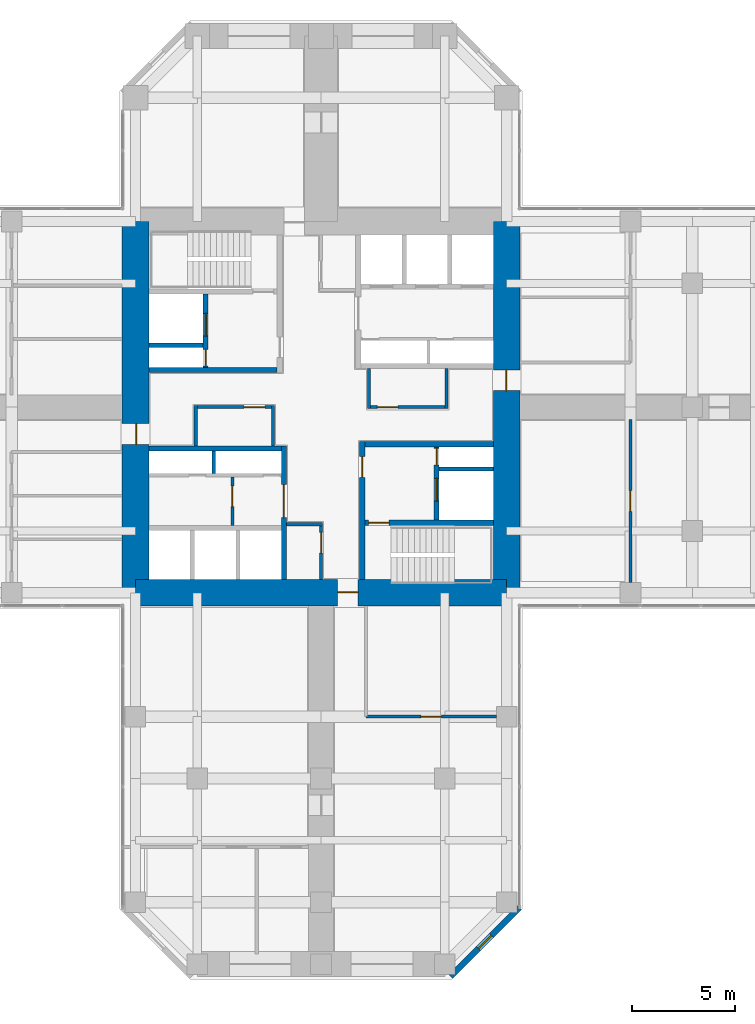
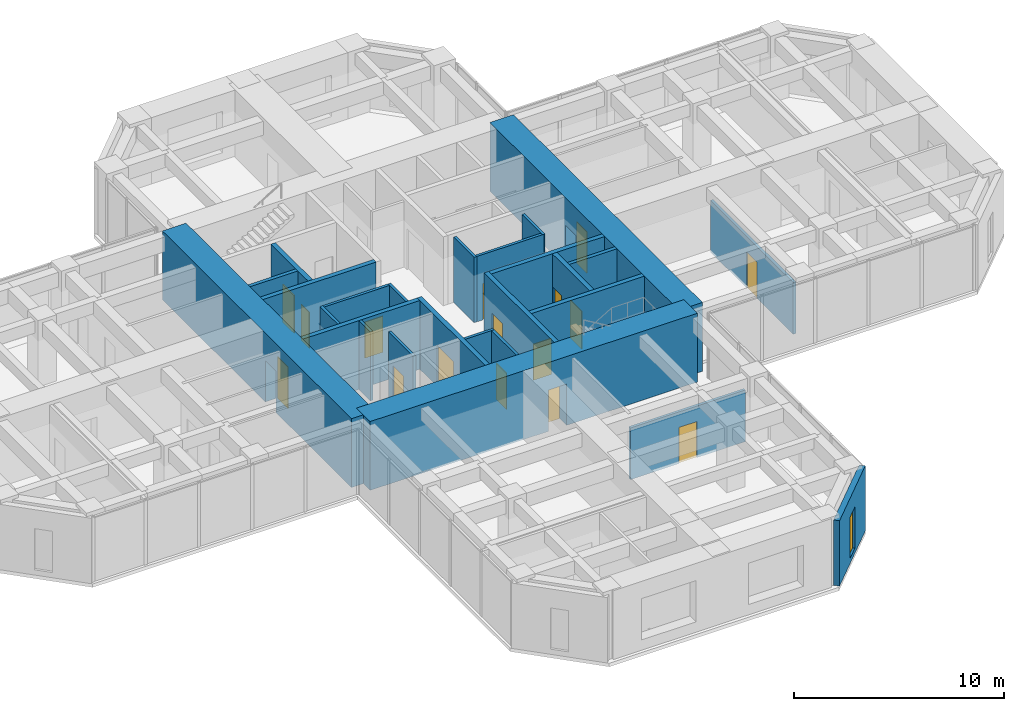
# One storey, part 9 of 12: 26 walls, 16 doors, 1 window, 17 openings.
"""IFC4 building model written with IfcOpenShell, lengths in metres."""

import ifcopenshell
import ifcopenshell.guid

model = None  # the IFC model being written
_history = None  # IfcOwnerHistory: only IFC2X3 demands one
_inside = {}  # id of a spatial element -> (the spatial element, [elements in it])
_under = {}  # id of a project, library or spatial element -> (it, [spatial elements below it])
_declared = {}  # id of a project -> (the project, [libraries it declares])
_typed = {}  # id of a type object -> (the type object, [elements of that type])
_made_of = {}  # id of a material, layer set ... -> (it, [elements and type objects made of it])


def new_model(schema):
    """Start an empty IFC model of exactly this schema.

    Asked for "IFC4X3", IfcOpenShell would pick the latest addendum, in which some entities
    have other attributes; the version numbers below select the first issue.
    IFC2X3 requires an IfcOwnerHistory on every rooted entity: one is made here for all.
    """
    global model, _history
    if schema == "IFC4X3":
        model = ifcopenshell.file(schema_version=(4, 3, 0, 0))
    else:
        model = ifcopenshell.file(schema=schema)
    _inside.clear()
    _under.clear()
    _declared.clear()
    _typed.clear()
    _made_of.clear()
    _history = None
    if model.schema == "IFC2X3":
        org = make("IfcOrganization", Name="unknown")
        user = make(
            "IfcPersonAndOrganization",
            ThePerson=make("IfcPerson", FamilyName="unknown"),
            TheOrganization=org,
        )
        app = make(
            "IfcApplication",
            ApplicationDeveloper=org,
            Version="unknown",
            ApplicationFullName="unknown",
            ApplicationIdentifier="unknown",
        )
        _history = make(
            "IfcOwnerHistory",
            OwningUser=user,
            OwningApplication=app,
            ChangeAction="ADDED",
            CreationDate=0,
        )
    return model


def make(cls, **values):
    """One entity of the class cls with the attributes given. An attribute that is None is left unset."""
    return model.create_entity(
        cls, **{name: value for name, value in values.items() if value is not None}
    )


def rooted(cls, **values):
    """An entity with a GlobalId (a new one), such as an element, a storey or a relation."""
    return make(cls, GlobalId=ifcopenshell.guid.new(), OwnerHistory=_history, **values)


def si_unit(unit_type, name, prefix=None):
    """IfcSIUnit, for example si_unit("LENGTHUNIT", "METRE", prefix="MILLI")."""
    return make("IfcSIUnit", UnitType=unit_type, Prefix=prefix, Name=name)


def assignment(units):
    """IfcUnitAssignment: the units of a project."""
    return None if units is None else make("IfcUnitAssignment", Units=units)


def point(xyz):
    """IfcCartesianPoint."""
    return None if xyz is None else make("IfcCartesianPoint", Coordinates=xyz)


def direction(xyz):
    """IfcDirection."""
    return None if xyz is None else make("IfcDirection", DirectionRatios=xyz)


def frame(location, z_axis=None, x_axis=None):
    """IfcAxis2Placement3D, a coordinate frame: its origin and axes. An axis left out is left unset."""
    return make(
        "IfcAxis2Placement3D",
        Location=point(location),
        Axis=direction(z_axis),
        RefDirection=direction(x_axis),
    )


def frame_2d(location, x_axis=None):
    """IfcAxis2Placement2D, a coordinate frame in the plane: its origin and x axis."""
    return make(
        "IfcAxis2Placement2D", Location=point(location), RefDirection=direction(x_axis)
    )


def origin():
    """The frame at (0, 0, 0) with its axes left unset."""
    return frame((0.0, 0.0, 0.0))


def place(relative_to, where):
    """IfcLocalPlacement: puts the frame where relative to a parent placement (None: the world)."""
    return make(
        "IfcLocalPlacement", PlacementRelTo=relative_to, RelativePlacement=where
    )


def context(
    kind, dimensions, precision=None, world=None, true_north=None, identifier=None
):
    """IfcGeometricRepresentationContext, for example the 3D "Model" context."""
    return make(
        "IfcGeometricRepresentationContext",
        ContextIdentifier=identifier,
        ContextType=kind,
        CoordinateSpaceDimension=dimensions,
        Precision=precision,
        WorldCoordinateSystem=world,
        TrueNorth=true_north,
    )


def subcontext(parent, identifier, kind, view, scale=None):
    """IfcGeometricRepresentationSubContext, for example "Body" below "Model"."""
    return make(
        "IfcGeometricRepresentationSubContext",
        ContextIdentifier=identifier,
        ContextType=kind,
        ParentContext=parent,
        TargetScale=scale,
        TargetView=view,
    )


def project(units=None, contexts=None):
    """IfcProject with its units and contexts."""
    return rooted(
        "IfcProject",
        Name="project",
        RepresentationContexts=contexts,
        UnitsInContext=assignment(units),
    )


def spatial(cls, under=None, at=None, **own):
    """A site, building, storey or space (cls), placed at a placement, below another one or the project."""
    s = rooted(cls, ObjectPlacement=at, **own)
    if under is not None:
        _under.setdefault(under.id(), (under, []))[1].append(s)
    return s


def profile(cls, at=None, kind="AREA", **sizes):
    """A parametric profile (cls). Its sizes go by their IFC names, for example OverallWidth=200.0."""
    return make(cls, ProfileType=kind, Position=at, **sizes)


def rectangle(**sizes):
    """IfcRectangleProfileDef."""
    return profile("IfcRectangleProfileDef", **sizes)


def hollow_rectangle(**sizes):
    """IfcRectangleHollowProfileDef."""
    return profile("IfcRectangleHollowProfileDef", **sizes)


def extrude(swept, where, along, depth):
    """IfcExtrudedAreaSolid: the profile swept, set in the frame where, extruded along a direction by depth."""
    return make(
        "IfcExtrudedAreaSolid",
        SweptArea=swept,
        Position=where,
        ExtrudedDirection=direction(along),
        Depth=depth,
    )


def shape(context_of_items, identifier, shape_type, items):
    """IfcShapeRepresentation: the items that make up one representation, for example the "Body"."""
    return make(
        "IfcShapeRepresentation",
        ContextOfItems=context_of_items,
        RepresentationIdentifier=identifier,
        RepresentationType=shape_type,
        Items=items,
    )


def material(Name=None, Category=None):
    """IfcMaterial."""
    return make("IfcMaterial", Name=Name, Category=Category)


def layer(
    of_material, thickness, ventilated=None, Name=None, Category=None, Priority=None
):
    """IfcMaterialLayer: one layer of a wall or slab, of a material (None: an air gap)."""
    return make(
        "IfcMaterialLayer",
        Material=of_material,
        LayerThickness=thickness,
        IsVentilated=ventilated,
        Name=Name,
        Category=Category,
        Priority=Priority,
    )


def layer_set(layers, Name=None):
    """IfcMaterialLayerSet."""
    return make("IfcMaterialLayerSet", MaterialLayers=layers, LayerSetName=Name)


def constituent(of_material, Name=None, Category=None, fraction=None):
    """IfcMaterialConstituent: one of the materials an element consists of."""
    return make(
        "IfcMaterialConstituent",
        Name=Name,
        Material=of_material,
        Fraction=fraction,
        Category=Category,
    )


def constituent_set(constituents=None, Name=None):
    """IfcMaterialConstituentSet."""
    return make(
        "IfcMaterialConstituentSet", Name=Name, MaterialConstituents=constituents
    )


def made_of(thing, what):
    """Note that an element or type object is made of a material, layer set ...; save() writes the relation."""
    if what is not None:
        _made_of.setdefault(what.id(), (what, []))[1].append(thing)
    return thing


def type_object(cls, material=None, **own):
    """A type object (cls), such as IfcWallType, which elements share."""
    return made_of(rooted(cls, **own), material)


def element(
    cls,
    number,
    at=None,
    inside=None,
    cuts=None,
    type_object=None,
    material=None,
    context=None,
    identifier="Body",
    shape_type=None,
    held_by="IfcProductDefinitionShape",
    body=None,
    shapes=None,
    **own,
):
    """One element of the class cls, such as IfcWall. Its Tag is "e" and its number.

    at: its placement. inside: the storey or other place that contains it. cuts: it is an
    opening in that element (IfcRelVoidsElement). A single representation is given by context,
    identifier, shape_type and body (its items); several are given by shapes. held_by: the class
    of the entity that holds the representations. save() writes the other relations.
    """
    e = rooted(cls, Tag="e%d" % number, ObjectPlacement=at, **own)
    if body is not None:
        shapes = [shape(context, identifier, shape_type, body)]
    if shapes is not None:
        e.Representation = make(held_by, Representations=shapes)
    if inside is not None:
        _inside.setdefault(inside.id(), (inside, []))[1].append(e)
    if cuts is not None:
        rooted(
            "IfcRelVoidsElement", RelatingBuildingElement=cuts, RelatedOpeningElement=e
        )
    if type_object is not None:
        _typed.setdefault(type_object.id(), (type_object, []))[1].append(e)
    return made_of(e, material)


def fill(opening, filler):
    """IfcRelFillsElement: the door or window that sits in an opening."""
    return rooted(
        "IfcRelFillsElement",
        RelatingOpeningElement=opening,
        RelatedBuildingElement=filler,
    )


def aggregate(whole, parts):
    """IfcRelAggregates: a whole, such as a stair, and the parts it consists of."""
    return rooted("IfcRelAggregates", RelatingObject=whole, RelatedObjects=parts)


def save(model, path):
    """Write the relations noted so far, then the file.

    IfcRelAggregates (storeys below a building ...), IfcRelContainedInSpatialStructure (elements
    in a storey), IfcRelDefinesByType, IfcRelAssociatesMaterial and IfcRelDeclares: one each for
    every whole, place, type object, material and project.
    """
    for whole, parts in _under.values():
        aggregate(whole, parts)
    for where, things in _inside.values():
        rooted(
            "IfcRelContainedInSpatialStructure",
            RelatedElements=things,
            RelatingStructure=where,
        )
    for kind, things in _typed.values():
        rooted("IfcRelDefinesByType", RelatedObjects=things, RelatingType=kind)
    for what, things in _made_of.values():
        rooted("IfcRelAssociatesMaterial", RelatedObjects=things, RelatingMaterial=what)
    for by, libraries in _declared.values():
        rooted("IfcRelDeclares", RelatingContext=by, RelatedDefinitions=libraries)
    model.write(path)


model = new_model("IFC4")

# Units and contexts
model_context = context("Model", 3, precision=1e-05, world=origin(), true_north=direction((0.0, 1.0)))
body_context = subcontext(model_context, "Body", "Model", "MODEL_VIEW")
ifc_project = project(units=[si_unit("LENGTHUNIT", "METRE"), si_unit("AREAUNIT", "SQUARE_METRE"), si_unit("VOLUMEUNIT", "CUBIC_METRE"), si_unit("PLANEANGLEUNIT", "RADIAN"), si_unit("MASSUNIT", "GRAM", prefix="KILO")], contexts=[model_context])

# Site, building, storey
site_placement = place(None, origin())
site = spatial("IfcSite", under=ifc_project, at=site_placement, CompositionType="ELEMENT")
building_placement = place(site_placement, origin())
building = spatial("IfcBuilding", under=site, at=building_placement, Name="Torre Cruceta", CompositionType="ELEMENT")
storey_placement = place(building_placement, frame((0.0, 0.0, 112.5)))
storey = spatial("IfcBuildingStorey", under=building, at=storey_placement, Name="L27", CompositionType="ELEMENT", Elevation=112.5)

# Wall
ifc_material_1 = material(Name="Concrete G60 (fck 60 MPa)", Category="concrete")
ifc_layer_1 = layer(ifc_material_1, 0.25)
ifc_layer_set_1 = layer_set([ifc_layer_1], Name="Concrete G60 (fck 60 MPa)")
wall_type_1 = type_object("IfcWallType", Name="CORE INNER WALL 250 G60", PredefinedType="SHEAR", material=ifc_layer_set_1)
wall_1_placement = place(storey_placement, frame((-2.125, 1.800048828125, 0.0), z_axis=(0.0, 0.0, 1.0), x_axis=(-1.0, 0.0, 0.0)))
element("IfcWall", 1, at=wall_1_placement, inside=storey, type_object=wall_type_1, Name="CW4 L27 NW-CV", PredefinedType="SHEAR", context=body_context, shape_type="SweptSolid", body=[
    extrude(rectangle(XDim=6.22509765625, YDim=0.25, at=frame_2d((3.112548828125, 0.0))), origin(), (0.0, 0.0, 1.0), 4.0),
])

# Wall, openings, doors
wall_2_placement = place(storey_placement, frame((-5.60009765625, 1.925048828125, 0.0), z_axis=(0.0, 0.0, 1.0), x_axis=(0.0, 1.0, 0.0)))
wall_2 = element("IfcWall", 2, at=wall_2_placement, inside=storey, type_object=wall_type_1, Name="CW4 L27 NW-FU", PredefinedType="SHEAR", context=body_context, shape_type="SweptSolid", body=[
    extrude(rectangle(XDim=3.550048828125, YDim=0.25, at=frame_2d((1.77490234375, 0.0))), origin(), (0.0, 0.0, 1.0), 4.0),
])
opening_1_placement = place(wall_2_placement, frame((1.52490234375, 0.0, 0.0)))
opening_1 = element("IfcOpeningElement", 3, at=opening_1_placement, cuts=wall_2, Name="Opening LD1", PredefinedType="OPENING", context=body_context, shape_type="SweptSolid", body=[
    extrude(rectangle(XDim=1.10009765625, YDim=2.199951171875, at=frame_2d((0.550048828125, 1.10009765625))), frame((0.0, 0.135009765625, 0.0), z_axis=(0.0, -1.0, 0.0), x_axis=(1.0, 0.0, 0.0)), (0.0, 0.0, 1.0), 0.27001953125),
])
opening_2_placement = place(wall_2_placement, frame((0.074951171875, 0.0, 0.0)))
opening_2 = element("IfcOpeningElement", 4, at=opening_2_placement, cuts=wall_2, Name="Opening D5", PredefinedType="OPENING", context=body_context, shape_type="SweptSolid", body=[
    extrude(rectangle(XDim=0.800048828125, YDim=2.10009765625, at=frame_2d((0.39990234375, 1.050048828125))), frame((0.0, 0.135009765625, 0.0), z_axis=(0.0, -1.0, 0.0), x_axis=(1.0, 0.0, 0.0)), (0.0, 0.0, 1.0), 0.27001953125),
])
ifc_material_2 = material(Name="Stainless steel 1.4401", Category="steel")
door_type_1 = type_object("IfcDoorType", Name="LIFT LANDING DOOR 1100X2200", OperationType="DOUBLE_DOOR_SLIDING", PredefinedType="DOOR", material=ifc_material_2)
door_1_placement = place(opening_1_placement, origin())
door_1 = element("IfcDoor", 5, at=door_1_placement, inside=storey, type_object=door_type_1, Name="Lift landing door FL1", OperationType="DOUBLE_DOOR_SLIDING", OverallHeight=2.199951171875, OverallWidth=1.10009765625, PredefinedType="DOOR", context=body_context, shape_type="SweptSolid", body=[
    extrude(rectangle(XDim=1.10009765625, YDim=2.199951171875, at=frame_2d((0.550048828125, 1.10009765625))), frame((0.0, 0.02490234375, 0.0), z_axis=(0.0, -1.0, 0.0), x_axis=(1.0, 0.0, 0.0)), (0.0, 0.0, 1.0), 0.050048828125),
])
fill(opening_1, door_1)
ifc_material_3 = material(Name="Steel DX51D", Category="steel")
ifc_constituent_1 = constituent(ifc_material_3, Name="Leaf and frame")
ifc_material_4 = material(Name="Polyester powder coating", Category="paint")
ifc_constituent_2 = constituent(ifc_material_4, Name="Finish")
ifc_constituent_set_1 = constituent_set(constituents=[ifc_constituent_1, ifc_constituent_2], Name="Steel fire door")
door_type_2 = type_object("IfcDoorType", Name="RISER ACCESS DOOR 800X2100", OperationType="SINGLE_SWING_LEFT", PredefinedType="DOOR", material=ifc_constituent_set_1)
door_2_placement = place(opening_2_placement, origin())
door_2 = element("IfcDoor", 6, at=door_2_placement, inside=storey, type_object=door_type_2, Name="D5 L27 NW-RISER", OperationType="SINGLE_SWING_LEFT", OverallHeight=2.10009765625, OverallWidth=0.800048828125, PredefinedType="DOOR", context=body_context, shape_type="SweptSolid", body=[
    extrude(rectangle(XDim=0.800048828125, YDim=2.10009765625, at=frame_2d((0.39990234375, 1.050048828125))), frame((0.0, 0.02490234375, 0.0), z_axis=(0.0, -1.0, 0.0), x_axis=(1.0, 0.0, 0.0)), (0.0, 0.0, 1.0), 0.050048828125),
])
fill(opening_2, door_2)

# Wall, opening, door
wall_3_placement = place(storey_placement, frame((-1.800048828125, -1.875, 0.0), z_axis=(0.0, 0.0, 1.0), x_axis=(0.0, -1.0, 0.0)))
wall_3 = element("IfcWall", 7, at=wall_3_placement, inside=storey, type_object=wall_type_1, Name="CW4 L27 SW-CU", PredefinedType="SHEAR", context=body_context, shape_type="SweptSolid", body=[
    extrude(rectangle(XDim=6.47509765625, YDim=0.25, at=frame_2d((3.237548828125, 0.0))), origin(), (0.0, 0.0, 1.0), 4.0),
])
opening_3_placement = place(wall_3_placement, frame((1.875, 0.0, 0.0)))
opening_3 = element("IfcOpeningElement", 8, at=opening_3_placement, cuts=wall_3, Name="Opening D15", PredefinedType="OPENING", context=body_context, shape_type="SweptSolid", body=[
    extrude(rectangle(XDim=1.60009765625, YDim=2.39990234375, at=frame_2d((0.800048828125, 1.199951171875))), frame((0.0, 0.135009765625, 0.0), z_axis=(0.0, -1.0, 0.0), x_axis=(1.0, 0.0, 0.0)), (0.0, 0.0, 1.0), 0.27001953125),
])
ifc_material_5 = material(Name="Steel DX51D", Category="steel")
ifc_constituent_3 = constituent(ifc_material_5, Name="Leaf and frame")
ifc_material_6 = material(Name="Polyester powder coating", Category="paint")
ifc_constituent_4 = constituent(ifc_material_6, Name="Finish")
ifc_constituent_set_2 = constituent_set(constituents=[ifc_constituent_3, ifc_constituent_4], Name="Steel fire door")
door_type_3 = type_object("IfcDoorType", Name="CORE ROOM DOUBLE DOOR 1600X2400", OperationType="DOUBLE_DOOR_SINGLE_SWING", PredefinedType="DOOR", material=ifc_constituent_set_2)
door_3_placement = place(opening_3_placement, frame((1.60009765625, 0.0, 0.0), z_axis=(0.0, 0.0, 1.0), x_axis=(-1.0, 0.0, 0.0)))
door_3 = element("IfcDoor", 9, at=door_3_placement, inside=storey, type_object=door_type_3, Name="D15 L27 SW-LOBBY", OperationType="DOUBLE_DOOR_SINGLE_SWING", OverallHeight=2.39990234375, OverallWidth=1.60009765625, PredefinedType="DOOR", context=body_context, shape_type="SweptSolid", body=[
    extrude(rectangle(XDim=1.60009765625, YDim=2.39990234375, at=frame_2d((0.800048828125, 1.199951171875))), frame((0.0, 0.025146484375, 0.0), z_axis=(0.0, -1.0, 0.0), x_axis=(1.0, 0.0, 0.0)), (0.0, 0.0, 1.0), 0.050048828125),
])
fill(opening_3, door_3)

# Wall
wall_4_placement = place(storey_placement, frame((-1.925048828125, -2.0, 0.0), z_axis=(0.0, 0.0, 1.0), x_axis=(-1.0, 0.0, 0.0)))
element("IfcWall", 10, at=wall_4_placement, inside=storey, type_object=wall_type_1, Name="CW4 L27 SW-CV", PredefinedType="SHEAR", context=body_context, shape_type="SweptSolid", body=[
    extrude(rectangle(XDim=6.425048828125, YDim=0.25, at=frame_2d((3.21240234375, 0.0))), origin(), (0.0, 0.0, 1.0), 4.0),
])

# Wall, opening, door
wall_5_placement = place(storey_placement, frame((2.0, -1.675048828125, 0.0), z_axis=(0.0, 0.0, 1.0), x_axis=(0.0, -1.0, 0.0)))
wall_5 = element("IfcWall", 11, at=wall_5_placement, inside=storey, type_object=wall_type_1, Name="CW4 L27 SE-CU", PredefinedType="SHEAR", context=body_context, shape_type="SweptSolid", body=[
    extrude(rectangle(XDim=6.675048828125, YDim=0.25, at=frame_2d((3.33740234375, 0.0))), origin(), (0.0, 0.0, 1.0), 4.0),
])
opening_4_placement = place(wall_5_placement, frame((0.72509765625, 0.0, 0.0)))
opening_4 = element("IfcOpeningElement", 12, at=opening_4_placement, cuts=wall_5, Name="Opening D3", PredefinedType="OPENING", context=body_context, shape_type="SweptSolid", body=[
    extrude(rectangle(XDim=1.0, YDim=2.10009765625, at=frame_2d((0.5, 1.050048828125))), frame((0.0, 0.135009765625, 0.0), z_axis=(0.0, -1.0, 0.0), x_axis=(1.0, 0.0, 0.0)), (0.0, 0.0, 1.0), 0.27001953125),
])
ifc_material_7 = material(Name="Steel DX51D", Category="steel")
ifc_constituent_5 = constituent(ifc_material_7, Name="Leaf and frame")
ifc_material_8 = material(Name="Polyester powder coating", Category="paint")
ifc_constituent_6 = constituent(ifc_material_8, Name="Finish")
ifc_constituent_set_3 = constituent_set(constituents=[ifc_constituent_5, ifc_constituent_6], Name="Steel fire door")
door_type_4 = type_object("IfcDoorType", Name="FIRE DOOR 1000X2100", OperationType="SINGLE_SWING_LEFT", PredefinedType="DOOR", material=ifc_constituent_set_3)
door_4_placement = place(opening_4_placement, origin())
door_4 = element("IfcDoor", 13, at=door_4_placement, inside=storey, type_object=door_type_4, Name="D3 L27 SE-LOBBY", OperationType="SINGLE_SWING_LEFT", OverallHeight=2.10009765625, OverallWidth=1.0, PredefinedType="DOOR", context=body_context, shape_type="SweptSolid", body=[
    extrude(rectangle(XDim=1.0, YDim=2.10009765625, at=frame_2d((0.5, 1.050048828125))), frame((0.0, 0.02490234375, 0.0), z_axis=(0.0, -1.0, 0.0), x_axis=(1.0, 0.0, 0.0)), (0.0, 0.0, 1.0), 0.050048828125),
])
fill(opening_4, door_4)

# Wall
wall_6_placement = place(storey_placement, frame((2.125, -1.800048828125, 0.0), z_axis=(0.0, 0.0, 1.0), x_axis=(1.0, 0.0, 0.0)))
element("IfcWall", 14, at=wall_6_placement, inside=storey, type_object=wall_type_1, Name="CW4 L27 SE-CV", PredefinedType="SHEAR", context=body_context, shape_type="SweptSolid", body=[
    extrude(rectangle(XDim=6.22509765625, YDim=0.25, at=frame_2d((3.112548828125, 0.0))), origin(), (0.0, 0.0, 1.0), 4.0),
])

# Wall, opening, door
wall_7_placement = place(storey_placement, frame((2.125, -5.60009765625, 0.0), z_axis=(0.0, 0.0, 1.0), x_axis=(1.0, 0.0, 0.0)))
wall_7 = element("IfcWall", 15, at=wall_7_placement, inside=storey, type_object=wall_type_1, Name="CW4 L27 SE-SV", PredefinedType="SHEAR", context=body_context, shape_type="SweptSolid", body=[
    extrude(rectangle(XDim=6.22509765625, YDim=0.25, at=frame_2d((3.112548828125, 0.0))), origin(), (0.0, 0.0, 1.0), 4.0),
])
opening_5_placement = place(wall_7_placement, frame((0.175048828125, 0.0, 0.0)))
opening_5 = element("IfcOpeningElement", 16, at=opening_5_placement, cuts=wall_7, Name="Opening D3", PredefinedType="OPENING", context=body_context, shape_type="SweptSolid", body=[
    extrude(rectangle(XDim=1.0, YDim=2.10009765625, at=frame_2d((0.5, 1.050048828125))), frame((0.0, 0.135009765625, 0.0), z_axis=(0.0, -1.0, 0.0), x_axis=(1.0, 0.0, 0.0)), (0.0, 0.0, 1.0), 0.27001953125),
])
door_5_placement = place(opening_5_placement, frame((1.0, 0.0, 0.0), z_axis=(0.0, 0.0, 1.0), x_axis=(-1.0, 0.0, 0.0)))
door_5 = element("IfcDoor", 17, at=door_5_placement, inside=storey, type_object=door_type_4, Name="D3 L27 SE-STAIR", OperationType="SINGLE_SWING_RIGHT", OverallHeight=2.10009765625, OverallWidth=1.0, PredefinedType="DOOR", context=body_context, shape_type="SweptSolid", body=[
    extrude(rectangle(XDim=1.0, YDim=2.10009765625, at=frame_2d((0.5, 1.050048828125))), frame((0.0, 0.025146484375, 0.0), z_axis=(0.0, -1.0, 0.0), x_axis=(1.0, 0.0, 0.0)), (0.0, 0.0, 1.0), 0.050048828125),
])
fill(opening_5, door_5)

# Wall, openings, doors
wall_8_placement = place(storey_placement, frame((5.60009765625, -1.925048828125, 0.0), z_axis=(0.0, 0.0, 1.0), x_axis=(0.0, -1.0, 0.0)))
wall_8 = element("IfcWall", 18, at=wall_8_placement, inside=storey, type_object=wall_type_1, Name="CW4 L27 SE-FU", PredefinedType="SHEAR", context=body_context, shape_type="SweptSolid", body=[
    extrude(rectangle(XDim=3.550048828125, YDim=0.25, at=frame_2d((1.77490234375, 0.0))), origin(), (0.0, 0.0, 1.0), 4.0),
])
opening_6_placement = place(wall_8_placement, frame((1.52490234375, 0.0, 0.0)))
opening_6 = element("IfcOpeningElement", 19, at=opening_6_placement, cuts=wall_8, Name="Opening LD1", PredefinedType="OPENING", context=body_context, shape_type="SweptSolid", body=[
    extrude(rectangle(XDim=1.10009765625, YDim=2.199951171875, at=frame_2d((0.550048828125, 1.10009765625))), frame((0.0, 0.135009765625, 0.0), z_axis=(0.0, -1.0, 0.0), x_axis=(1.0, 0.0, 0.0)), (0.0, 0.0, 1.0), 0.27001953125),
])
opening_7_placement = place(wall_8_placement, frame((0.074951171875, 0.0, 0.0)))
opening_7 = element("IfcOpeningElement", 20, at=opening_7_placement, cuts=wall_8, Name="Opening D5", PredefinedType="OPENING", context=body_context, shape_type="SweptSolid", body=[
    extrude(rectangle(XDim=0.800048828125, YDim=2.10009765625, at=frame_2d((0.39990234375, 1.050048828125))), frame((0.0, 0.135009765625, 0.0), z_axis=(0.0, -1.0, 0.0), x_axis=(1.0, 0.0, 0.0)), (0.0, 0.0, 1.0), 0.27001953125),
])
door_6_placement = place(opening_6_placement, origin())
door_6 = element("IfcDoor", 21, at=door_6_placement, inside=storey, type_object=door_type_1, Name="Lift landing door FL2", OperationType="DOUBLE_DOOR_SLIDING", OverallHeight=2.199951171875, OverallWidth=1.10009765625, PredefinedType="DOOR", context=body_context, shape_type="SweptSolid", body=[
    extrude(rectangle(XDim=1.10009765625, YDim=2.199951171875, at=frame_2d((0.550048828125, 1.10009765625))), frame((0.0, 0.02490234375, 0.0), z_axis=(0.0, -1.0, 0.0), x_axis=(1.0, 0.0, 0.0)), (0.0, 0.0, 1.0), 0.050048828125),
])
fill(opening_6, door_6)
door_7_placement = place(opening_7_placement, origin())
door_7 = element("IfcDoor", 22, at=door_7_placement, inside=storey, type_object=door_type_2, Name="D5 L27 SE-RISER", OperationType="SINGLE_SWING_LEFT", OverallHeight=2.10009765625, OverallWidth=0.800048828125, PredefinedType="DOOR", context=body_context, shape_type="SweptSolid", body=[
    extrude(rectangle(XDim=0.800048828125, YDim=2.10009765625, at=frame_2d((0.39990234375, 1.050048828125))), frame((0.0, 0.02490234375, 0.0), z_axis=(0.0, -1.0, 0.0), x_axis=(1.0, 0.0, 0.0)), (0.0, 0.0, 1.0), 0.050048828125),
])
fill(opening_7, door_7)

# Wall, opening, door
ifc_material_9 = material(Name="Concrete G60 (fck 60 MPa)", Category="concrete")
ifc_layer_2 = layer(ifc_material_9, 1.300048828125)
ifc_layer_set_2 = layer_set([ifc_layer_2], Name="Concrete G60 (fck 60 MPa)")
wall_type_2 = type_object("IfcWallType", Name="CORE WALL 1300 G60", PredefinedType="SHEAR", material=ifc_layer_set_2)
wall_9_placement = place(storey_placement, frame((-9.0, -9.0, 0.0), z_axis=(0.0, 0.0, 1.0), x_axis=(1.0, 0.0, 0.0)))
wall_9 = element("IfcWall", 23, at=wall_9_placement, inside=storey, type_object=wall_type_2, Name="CW1 L27 CW-S", PredefinedType="SHEAR", context=body_context, shape_type="SweptSolid", body=[
    extrude(rectangle(XDim=18.0, YDim=1.300048828125, at=frame_2d((9.0, 0.0))), origin(), (0.0, 0.0, 1.0), 4.0),
])
opening_8_placement = place(wall_9_placement, frame((9.800048828125, 0.0, 0.0)))
opening_8 = element("IfcOpeningElement", 24, at=opening_8_placement, cuts=wall_9, Name="Opening D4", PredefinedType="OPENING", context=body_context, shape_type="SweptSolid", body=[
    extrude(rectangle(XDim=1.0, YDim=2.39990234375, at=frame_2d((0.5, 1.199951171875))), frame((0.0, 0.659912109375, 0.0), z_axis=(0.0, -1.0, 0.0), x_axis=(1.0, 0.0, 0.0)), (0.0, 0.0, 1.0), 1.320068359375),
])
ifc_material_10 = material(Name="Steel DX51D", Category="steel")
ifc_constituent_7 = constituent(ifc_material_10, Name="Leaf and frame")
ifc_material_11 = material(Name="Polyester powder coating", Category="paint")
ifc_constituent_8 = constituent(ifc_material_11, Name="Finish")
ifc_constituent_set_4 = constituent_set(constituents=[ifc_constituent_7, ifc_constituent_8], Name="Steel fire door")
door_type_5 = type_object("IfcDoorType", Name="CORE ARM DOOR 1000X2400", OperationType="SINGLE_SWING_RIGHT", PredefinedType="DOOR", material=ifc_constituent_set_4)
door_8_placement = place(opening_8_placement, frame((1.0, 0.0, 0.0), z_axis=(0.0, 0.0, 1.0), x_axis=(-1.0, 0.0, 0.0)))
door_8 = element("IfcDoor", 25, at=door_8_placement, inside=storey, type_object=door_type_5, Name="D4 L27 CW-S", OperationType="SINGLE_SWING_RIGHT", OverallHeight=2.39990234375, OverallWidth=1.0, PredefinedType="DOOR", context=body_context, shape_type="SweptSolid", body=[
    extrude(rectangle(XDim=1.0, YDim=2.39990234375, at=frame_2d((0.5, 1.199951171875))), frame((0.0, -0.005126953125, 0.0), z_axis=(0.0, -1.0, 0.0), x_axis=(1.0, 0.0, 0.0)), (0.0, 0.0, 1.0), 0.050048828125),
])
fill(opening_8, door_8)

wall_10_placement = place(storey_placement, frame((9.0, -9.0, 0.0), z_axis=(0.0, 0.0, 1.0), x_axis=(0.0, 1.0, 0.0)))
wall_10 = element("IfcWall", 26, at=wall_10_placement, inside=storey, type_object=wall_type_2, Name="CW1 L27 CW-E", PredefinedType="SHEAR", context=body_context, shape_type="SweptSolid", body=[
    extrude(rectangle(XDim=18.0, YDim=1.300048828125, at=frame_2d((9.0, 0.0))), origin(), (0.0, 0.0, 1.0), 4.0),
])
opening_9_placement = place(wall_10_placement, frame((9.800048828125, 0.0, 0.0)))
opening_9 = element("IfcOpeningElement", 27, at=opening_9_placement, cuts=wall_10, Name="Opening D4", PredefinedType="OPENING", context=body_context, shape_type="SweptSolid", body=[
    extrude(rectangle(XDim=1.0, YDim=2.39990234375, at=frame_2d((0.5, 1.199951171875))), frame((0.0, 0.659912109375, 0.0), z_axis=(0.0, -1.0, 0.0), x_axis=(1.0, 0.0, 0.0)), (0.0, 0.0, 1.0), 1.320068359375),
])
door_9_placement = place(opening_9_placement, frame((1.0, 0.0, 0.0), z_axis=(0.0, 0.0, 1.0), x_axis=(-1.0, 0.0, 0.0)))
door_9 = element("IfcDoor", 28, at=door_9_placement, inside=storey, type_object=door_type_5, Name="D4 L27 CW-E", OperationType="SINGLE_SWING_RIGHT", OverallHeight=2.39990234375, OverallWidth=1.0, PredefinedType="DOOR", context=body_context, shape_type="SweptSolid", body=[
    extrude(rectangle(XDim=1.0, YDim=2.39990234375, at=frame_2d((0.5, 1.199951171875))), frame((0.0, -0.005126953125, 0.0), z_axis=(0.0, -1.0, 0.0), x_axis=(1.0, 0.0, 0.0)), (0.0, 0.0, 1.0), 0.050048828125),
])
fill(opening_9, door_9)

wall_11_placement = place(storey_placement, frame((-9.0, 9.0, 0.0), z_axis=(0.0, 0.0, 1.0), x_axis=(0.0, -1.0, 0.0)))
wall_11 = element("IfcWall", 29, at=wall_11_placement, inside=storey, type_object=wall_type_2, Name="CW1 L27 CW-W", PredefinedType="SHEAR", context=body_context, shape_type="SweptSolid", body=[
    extrude(rectangle(XDim=18.0, YDim=1.300048828125, at=frame_2d((9.0, 0.0))), origin(), (0.0, 0.0, 1.0), 4.0),
])
opening_10_placement = place(wall_11_placement, frame((9.800048828125, 0.0, 0.0)))
opening_10 = element("IfcOpeningElement", 30, at=opening_10_placement, cuts=wall_11, Name="Opening D4", PredefinedType="OPENING", context=body_context, shape_type="SweptSolid", body=[
    extrude(rectangle(XDim=1.0, YDim=2.39990234375, at=frame_2d((0.5, 1.199951171875))), frame((0.0, 0.659912109375, 0.0), z_axis=(0.0, -1.0, 0.0), x_axis=(1.0, 0.0, 0.0)), (0.0, 0.0, 1.0), 1.320068359375),
])
door_10_placement = place(opening_10_placement, frame((1.0, 0.0, 0.0), z_axis=(0.0, 0.0, 1.0), x_axis=(-1.0, 0.0, 0.0)))
door_10 = element("IfcDoor", 31, at=door_10_placement, inside=storey, type_object=door_type_5, Name="D4 L27 CW-W", OperationType="SINGLE_SWING_RIGHT", OverallHeight=2.39990234375, OverallWidth=1.0, PredefinedType="DOOR", context=body_context, shape_type="SweptSolid", body=[
    extrude(rectangle(XDim=1.0, YDim=2.39990234375, at=frame_2d((0.5, 1.199951171875))), frame((0.0, -0.005126953125, 0.0), z_axis=(0.0, -1.0, 0.0), x_axis=(1.0, 0.0, 0.0)), (0.0, 0.0, 1.0), 0.050048828125),
])
fill(opening_10, door_10)

# Wall, opening, window
ifc_material_12 = material(Name="Concrete G30 (fck 30 MPa)", Category="concrete")
ifc_layer_3 = layer(ifc_material_12, 0.300048828125)
ifc_layer_set_3 = layer_set([ifc_layer_3], Name="Concrete G30 (fck 30 MPa)")
wall_type_3 = type_object("IfcWallType", Name="EXPOSED CONCRETE FACADE WALL 300", PredefinedType="SOLIDWALL", material=ifc_layer_set_3)
wall_12_placement = place(storey_placement, frame((6.27685546875, -27.60009765625, 0.0), z_axis=(0.0, 0.0, 1.0), x_axis=(0.707106781187, 0.707106781187, 0.0)))
wall_12 = element("IfcWall", 32, at=wall_12_placement, inside=storey, type_object=wall_type_3, Name="EW1 facade wall L27 S chamfer 18", PredefinedType="SOLIDWALL", context=body_context, shape_type="SweptSolid", body=[
    extrude(rectangle(XDim=4.72802734375, YDim=0.300048828125, at=frame_2d((2.364013671875, 0.0))), origin(), (0.0, 0.0, 1.0), 3.800048828125),
])
opening_11_placement = place(wall_12_placement, frame((1.9140625, 0.0, 0.300048828125)))
opening_11 = element("IfcOpeningElement", 33, at=opening_11_placement, cuts=wall_12, Name="Opening WN5", PredefinedType="OPENING", context=body_context, shape_type="SweptSolid", body=[
    extrude(rectangle(XDim=0.89990234375, YDim=2.39990234375, at=frame_2d((0.449951171875, 1.199951171875))), frame((0.0, 0.159912109375, 0.0), z_axis=(0.0, -1.0, 0.0), x_axis=(1.0, 0.0, 0.0)), (0.0, 0.0, 1.0), 0.320068359375),
])
ifc_material_13 = material(Name="Aluminium window frame", Category="aluminium")
ifc_constituent_9 = constituent(ifc_material_13, Name="Frame")
ifc_material_14 = material(Name="Laminated insulating glass unit, low-iron clear", Category="glass")
ifc_constituent_10 = constituent(ifc_material_14, Name="Glazing")
ifc_constituent_set_5 = constituent_set(constituents=[ifc_constituent_9, ifc_constituent_10], Name="Aluminium window")
window_type = type_object("IfcWindowType", Name="CHAMFER SLOT WINDOW 900X2400", PartitioningType="SINGLE_PANEL", PredefinedType="WINDOW", material=ifc_constituent_set_5)
window_placement = place(opening_11_placement, origin())
window = element("IfcWindow", 34, at=window_placement, inside=storey, type_object=window_type, Name="WN5 L27 S 1", OverallHeight=2.39990234375, OverallWidth=0.89990234375, PartitioningType="SINGLE_PANEL", PredefinedType="WINDOW", context=body_context, shape_type="SweptSolid", body=[
    extrude(hollow_rectangle(XDim=0.89990234375, YDim=2.39990234375, WallThickness=0.06005859375, at=frame_2d((0.449951171875, 1.199951171875))), frame((0.0, 0.030029296875, 0.0), z_axis=(0.0, -1.0, 0.0), x_axis=(1.0, 0.0, 0.0)), (0.0, 0.0, 1.0), 0.06005859375),
    extrude(rectangle(XDim=0.77880859375, YDim=2.27880859375, at=frame_2d((0.449951171875, 1.199951171875))), frame((0.0, 0.030029296875, 0.0), z_axis=(0.0, -1.0, 0.0), x_axis=(1.0, 0.0, 0.0)), (0.0, 0.0, 1.0), 0.06005859375),
])
fill(opening_11, window)

# Walls
ifc_material_15 = material(Name="Concrete G35 (fck 35 MPa)", Category="concrete")
ifc_layer_4 = layer(ifc_material_15, 0.199951171875)
ifc_layer_set_4 = layer_set([ifc_layer_4], Name="Concrete G35 (fck 35 MPa)")
wall_type_4 = type_object("IfcWallType", Name="LIFT SHAFT WALL 200", PredefinedType="PARTITIONING", material=ifc_layer_set_4)
for number, where, z_axis, x_axis, name in (
    (35, (-5.72509765625, 3.0, 0.0), (0.0, 0.0, 1.0), (-1.0, 0.0, 0.0), "SW1 L27 NW-FR"),
    (36, (5.72509765625, -3.0, 0.0), (0.0, 0.0, 1.0), (1.0, 0.0, 0.0), "SW1 L27 SE-FR"),
):
    element("IfcWall", number, at=place(storey_placement, frame(where, z_axis=z_axis, x_axis=x_axis)), inside=storey, type_object=wall_type_4, Name=name, PredefinedType="PARTITIONING", context=body_context, shape_type="SweptSolid", body=[
        extrude(rectangle(XDim=2.625, YDim=0.199951171875, at=frame_2d((1.3125, 0.0))), origin(), (0.0, 0.0, 1.0), 4.0),
    ])

# Wall, opening, door
ifc_material_16 = material(Name="Plasterboard on steel studs", Category="steel")
ifc_layer_5 = layer(ifc_material_16, 0.14990234375)
ifc_layer_set_5 = layer_set([ifc_layer_5], Name="Plasterboard on steel studs")
wall_type_5 = type_object("IfcWallType", Name="PARTITION 150", PredefinedType="PARTITIONING", material=ifc_layer_set_5)
wall_13_placement = place(storey_placement, frame((2.324951171875, 0.0, 0.0), z_axis=(0.0, 0.0, 1.0), x_axis=(1.0, 0.0, 0.0)))
wall_13 = element("IfcWall", 37, at=wall_13_placement, inside=storey, type_object=wall_type_5, Name="PT1 L27-CORE-LEGE-N-W1", PredefinedType="PARTITIONING", context=body_context, shape_type="SweptSolid", body=[
    extrude(rectangle(XDim=3.75, YDim=0.14990234375, at=frame_2d((1.875, 0.0))), origin(), (0.0, 0.0, 1.0), 3.800048828125),
])
opening_12_placement = place(wall_13_placement, frame((0.39990234375, 0.0, 0.0)))
opening_12 = element("IfcOpeningElement", 38, at=opening_12_placement, cuts=wall_13, Name="Opening D3", PredefinedType="OPENING", context=body_context, shape_type="SweptSolid", body=[
    extrude(rectangle(XDim=1.0, YDim=2.10009765625, at=frame_2d((0.5, 1.050048828125))), frame((0.0, 0.0849609375, 0.0), z_axis=(0.0, -1.0, 0.0), x_axis=(1.0, 0.0, 0.0)), (0.0, 0.0, 1.0), 0.169921875),
])
door_11_placement = place(opening_12_placement, origin())
door_11 = element("IfcDoor", 39, at=door_11_placement, inside=storey, type_object=door_type_4, Name="D3 L27-CORE-LEGE-N-W1-D1", OperationType="SINGLE_SWING_LEFT", OverallHeight=2.10009765625, OverallWidth=1.0, PredefinedType="DOOR", context=body_context, shape_type="SweptSolid", body=[
    extrude(rectangle(XDim=1.0, YDim=2.10009765625, at=frame_2d((0.5, 1.050048828125))), frame((0.0, 0.02490234375, 0.0), z_axis=(0.0, -1.0, 0.0), x_axis=(1.0, 0.0, 0.0)), (0.0, 0.0, 1.0), 0.050048828125),
])
fill(opening_12, door_11)

# Walls
for number, where, z_axis, x_axis, name in (
    (40, (2.324951171875, 1.875, 0.0), (0.0, 0.0, 1.0), (0.0, -1.0, 0.0), "PT1 L27-CORE-LEGE-N-W2"),
    (41, (6.074951171875, -0.074951171875, 0.0), (0.0, 0.0, 1.0), (0.0, 1.0, 0.0), "PT1 L27-CORE-LEGE-N-W3"),
):
    element("IfcWall", number, at=place(storey_placement, frame(where, z_axis=z_axis, x_axis=x_axis)), inside=storey, type_object=wall_type_5, Name=name, PredefinedType="PARTITIONING", context=body_context, shape_type="SweptSolid", body=[
        extrude(rectangle(XDim=1.949951171875, YDim=0.14990234375, at=frame_2d((0.97509765625, 0.0))), origin(), (0.0, 0.0, 1.0), 3.800048828125),
    ])

# Wall, opening, door
wall_14_placement = place(storey_placement, frame((-2.324951171875, 0.0, 0.0), z_axis=(0.0, 0.0, 1.0), x_axis=(-1.0, 0.0, 0.0)))
wall_14 = element("IfcWall", 42, at=wall_14_placement, inside=storey, type_object=wall_type_5, Name="PT1 L27-CORE-LEGW-S-W1", PredefinedType="PARTITIONING", context=body_context, shape_type="SweptSolid", body=[
    extrude(rectangle(XDim=3.75, YDim=0.14990234375, at=frame_2d((1.875, 0.0))), origin(), (0.0, 0.0, 1.0), 3.800048828125),
])
opening_13_placement = place(wall_14_placement, frame((0.39990234375, 0.0, 0.0)))
opening_13 = element("IfcOpeningElement", 43, at=opening_13_placement, cuts=wall_14, Name="Opening D3", PredefinedType="OPENING", context=body_context, shape_type="SweptSolid", body=[
    extrude(rectangle(XDim=1.0, YDim=2.10009765625, at=frame_2d((0.5, 1.050048828125))), frame((0.0, 0.0849609375, 0.0), z_axis=(0.0, -1.0, 0.0), x_axis=(1.0, 0.0, 0.0)), (0.0, 0.0, 1.0), 0.169921875),
])
door_12_placement = place(opening_13_placement, origin())
door_12 = element("IfcDoor", 44, at=door_12_placement, inside=storey, type_object=door_type_4, Name="D3 L27-CORE-LEGW-S-W1-D1", OperationType="SINGLE_SWING_LEFT", OverallHeight=2.10009765625, OverallWidth=1.0, PredefinedType="DOOR", context=body_context, shape_type="SweptSolid", body=[
    extrude(rectangle(XDim=1.0, YDim=2.10009765625, at=frame_2d((0.5, 1.050048828125))), frame((0.0, 0.02490234375, 0.0), z_axis=(0.0, -1.0, 0.0), x_axis=(1.0, 0.0, 0.0)), (0.0, 0.0, 1.0), 0.050048828125),
])
fill(opening_13, door_12)

# Walls
for number, where, z_axis, x_axis, name in (
    (45, (-2.324951171875, -1.875, 0.0), (0.0, 0.0, 1.0), (0.0, 1.0, 0.0), "PT1 L27-CORE-LEGW-S-W2"),
    (46, (-6.074951171875, 0.074951171875, 0.0), (0.0, 0.0, 1.0), (0.0, -1.0, 0.0), "PT1 L27-CORE-LEGW-S-W3"),
):
    element("IfcWall", number, at=place(storey_placement, frame(where, z_axis=z_axis, x_axis=x_axis)), inside=storey, type_object=wall_type_5, Name=name, PredefinedType="PARTITIONING", context=body_context, shape_type="SweptSolid", body=[
        extrude(rectangle(XDim=1.949951171875, YDim=0.14990234375, at=frame_2d((0.97509765625, 0.0))), origin(), (0.0, 0.0, 1.0), 3.800048828125),
    ])

# Wall, opening, door
wall_15_placement = place(storey_placement, frame((0.0, -5.675048828125, 0.0), z_axis=(0.0, 0.0, 1.0), x_axis=(0.0, -1.0, 0.0)))
wall_15 = element("IfcWall", 47, at=wall_15_placement, inside=storey, type_object=wall_type_5, Name="PT1 L27-CORE-LEGS-W-W1", PredefinedType="PARTITIONING", context=body_context, shape_type="SweptSolid", body=[
    extrude(rectangle(XDim=2.675048828125, YDim=0.14990234375, at=frame_2d((1.33740234375, 0.0))), origin(), (0.0, 0.0, 1.0), 3.800048828125),
])
opening_14_placement = place(wall_15_placement, frame((0.39990234375, 0.0, 0.0)))
opening_14 = element("IfcOpeningElement", 48, at=opening_14_placement, cuts=wall_15, Name="Opening D3", PredefinedType="OPENING", context=body_context, shape_type="SweptSolid", body=[
    extrude(rectangle(XDim=1.0, YDim=2.10009765625, at=frame_2d((0.5, 1.050048828125))), frame((0.0, 0.0849609375, 0.0), z_axis=(0.0, -1.0, 0.0), x_axis=(1.0, 0.0, 0.0)), (0.0, 0.0, 1.0), 0.169921875),
])
door_13_placement = place(opening_14_placement, frame((1.0, 0.0, 0.0), z_axis=(0.0, 0.0, 1.0), x_axis=(-1.0, 0.0, 0.0)))
door_13 = element("IfcDoor", 49, at=door_13_placement, inside=storey, type_object=door_type_4, Name="D3 L27-CORE-LEGS-W-W1-D1", OperationType="SINGLE_SWING_RIGHT", OverallHeight=2.10009765625, OverallWidth=1.0, PredefinedType="DOOR", context=body_context, shape_type="SweptSolid", body=[
    extrude(rectangle(XDim=1.0, YDim=2.10009765625, at=frame_2d((0.5, 1.050048828125))), frame((0.0, 0.025146484375, 0.0), z_axis=(0.0, -1.0, 0.0), x_axis=(1.0, 0.0, 0.0)), (0.0, 0.0, 1.0), 0.050048828125),
])
fill(opening_14, door_13)

# Wall
wall_16_placement = place(storey_placement, frame((-1.675048828125, -5.675048828125, 0.0), z_axis=(0.0, 0.0, 1.0), x_axis=(1.0, 0.0, 0.0)))
element("IfcWall", 50, at=wall_16_placement, inside=storey, type_object=wall_type_5, Name="PT1 L27-CORE-LEGS-W-W2", PredefinedType="PARTITIONING", context=body_context, shape_type="SweptSolid", body=[
    extrude(rectangle(XDim=1.75, YDim=0.14990234375, at=frame_2d((0.875, 0.0))), origin(), (0.0, 0.0, 1.0), 3.800048828125),
])

# Wall, opening, door
wall_17_placement = place(storey_placement, frame((-4.300048828125, -3.375, 0.0), z_axis=(0.0, 0.0, 1.0), x_axis=(0.0, -1.0, 0.0)))
wall_17 = element("IfcWall", 51, at=wall_17_placement, inside=storey, type_object=wall_type_5, Name="PT1 L27-CORE-SW-X", PredefinedType="PARTITIONING", context=body_context, shape_type="SweptSolid", body=[
    extrude(rectangle(XDim=2.35009765625, YDim=0.14990234375, at=frame_2d((1.175048828125, 0.0))), origin(), (0.0, 0.0, 1.0), 3.800048828125),
])
opening_15_placement = place(wall_17_placement, frame((0.449951171875, 0.0, 0.0)))
opening_15 = element("IfcOpeningElement", 52, at=opening_15_placement, cuts=wall_17, Name="Opening D3", PredefinedType="OPENING", context=body_context, shape_type="SweptSolid", body=[
    extrude(rectangle(XDim=1.0, YDim=2.10009765625, at=frame_2d((0.5, 1.050048828125))), frame((0.0, 0.0849609375, 0.0), z_axis=(0.0, -1.0, 0.0), x_axis=(1.0, 0.0, 0.0)), (0.0, 0.0, 1.0), 0.169921875),
])
door_14_placement = place(opening_15_placement, origin())
door_14 = element("IfcDoor", 53, at=door_14_placement, inside=storey, type_object=door_type_4, Name="D3 L27-CORE-SW-X-D1", OperationType="SINGLE_SWING_LEFT", OverallHeight=2.10009765625, OverallWidth=1.0, PredefinedType="DOOR", context=body_context, shape_type="SweptSolid", body=[
    extrude(rectangle(XDim=1.0, YDim=2.10009765625, at=frame_2d((0.5, 1.050048828125))), frame((0.0, 0.02490234375, 0.0), z_axis=(0.0, -1.0, 0.0), x_axis=(1.0, 0.0, 0.0)), (0.0, 0.0, 1.0), 0.050048828125),
])
fill(opening_15, door_14)

wall_18_placement = place(storey_placement, frame((15.0, -8.5, 0.0), z_axis=(0.0, 0.0, 1.0), x_axis=(0.0, 1.0, 0.0)))
wall_18 = element("IfcWall", 54, at=wall_18_placement, inside=storey, type_object=wall_type_5, Name="PT1 L27-E-BFR", PredefinedType="PARTITIONING", context=body_context, shape_type="SweptSolid", body=[
    extrude(rectangle(XDim=7.89990234375, YDim=0.14990234375, at=frame_2d((3.949951171875, 0.0))), origin(), (0.0, 0.0, 1.0), 3.0),
])
opening_16_placement = place(wall_18_placement, frame((3.449951171875, 0.0, 0.0)))
opening_16 = element("IfcOpeningElement", 55, at=opening_16_placement, cuts=wall_18, Name="Opening D3", PredefinedType="OPENING", context=body_context, shape_type="SweptSolid", body=[
    extrude(rectangle(XDim=1.0, YDim=2.10009765625, at=frame_2d((0.5, 1.050048828125))), frame((0.0, 0.0849609375, 0.0), z_axis=(0.0, -1.0, 0.0), x_axis=(1.0, 0.0, 0.0)), (0.0, 0.0, 1.0), 0.169921875),
])
door_15_placement = place(opening_16_placement, origin())
door_15 = element("IfcDoor", 56, at=door_15_placement, inside=storey, type_object=door_type_4, Name="D3 L27-E-BFR-D1", OperationType="SINGLE_SWING_RIGHT", OverallHeight=2.10009765625, OverallWidth=1.0, PredefinedType="DOOR", context=body_context, shape_type="SweptSolid", body=[
    extrude(rectangle(XDim=1.0, YDim=2.10009765625, at=frame_2d((0.5, 1.050048828125))), frame((0.0, 0.02490234375, 0.0), z_axis=(0.0, -1.0, 0.0), x_axis=(1.0, 0.0, 0.0)), (0.0, 0.0, 1.0), 0.050048828125),
])
fill(opening_16, door_15)

wall_19_placement = place(storey_placement, frame((2.175048828125, -15.0, 0.0), z_axis=(0.0, 0.0, 1.0), x_axis=(1.0, 0.0, 0.0)))
wall_19 = element("IfcWall", 57, at=wall_19_placement, inside=storey, type_object=wall_type_5, Name="PT1 L27-S-BFL", PredefinedType="PARTITIONING", context=body_context, shape_type="SweptSolid", body=[
    extrude(rectangle(XDim=6.324951171875, YDim=0.14990234375, at=frame_2d((3.16259765625, 0.0))), origin(), (0.0, 0.0, 1.0), 3.0),
])
opening_17_placement = place(wall_19_placement, frame((2.66259765625, 0.0, 0.0)))
opening_17 = element("IfcOpeningElement", 58, at=opening_17_placement, cuts=wall_19, Name="Opening D3", PredefinedType="OPENING", context=body_context, shape_type="SweptSolid", body=[
    extrude(rectangle(XDim=1.0, YDim=2.10009765625, at=frame_2d((0.5, 1.050048828125))), frame((0.0, 0.0849609375, 0.0), z_axis=(0.0, -1.0, 0.0), x_axis=(1.0, 0.0, 0.0)), (0.0, 0.0, 1.0), 0.169921875),
])
door_16_placement = place(opening_17_placement, origin())
door_16 = element("IfcDoor", 59, at=door_16_placement, inside=storey, type_object=door_type_4, Name="D3 L27-S-BFL-D1", OperationType="SINGLE_SWING_LEFT", OverallHeight=2.10009765625, OverallWidth=1.0, PredefinedType="DOOR", context=body_context, shape_type="SweptSolid", body=[
    extrude(rectangle(XDim=1.0, YDim=2.10009765625, at=frame_2d((0.5, 1.050048828125))), frame((0.0, 0.02490234375, 0.0), z_axis=(0.0, -1.0, 0.0), x_axis=(1.0, 0.0, 0.0)), (0.0, 0.0, 1.0), 0.050048828125),
])
fill(opening_17, door_16)

# Wall
ifc_material_17 = material(Name="Concrete block masonry", Category="masonry")
ifc_layer_6 = layer(ifc_material_17, 0.14990234375)
ifc_layer_set_6 = layer_set([ifc_layer_6], Name="Concrete block masonry")
wall_type_6 = type_object("IfcWallType", Name="RISER WALL 150", PredefinedType="PARTITIONING", material=ifc_layer_set_6)
wall_20_placement = place(storey_placement, frame((-5.199951171875, -2.125, 0.0), z_axis=(0.0, 0.0, 1.0), x_axis=(0.0, -1.0, 0.0)))
element("IfcWall", 60, at=wall_20_placement, inside=storey, type_object=wall_type_6, Name="SW7 L27 SW-RU", PredefinedType="PARTITIONING", context=body_context, shape_type="SweptSolid", body=[
    extrude(rectangle(XDim=1.10009765625, YDim=0.14990234375, at=frame_2d((0.550048828125, 0.0))), origin(), (0.0, 0.0, 1.0), 4.0),
])

save(model, "model.ifc")
